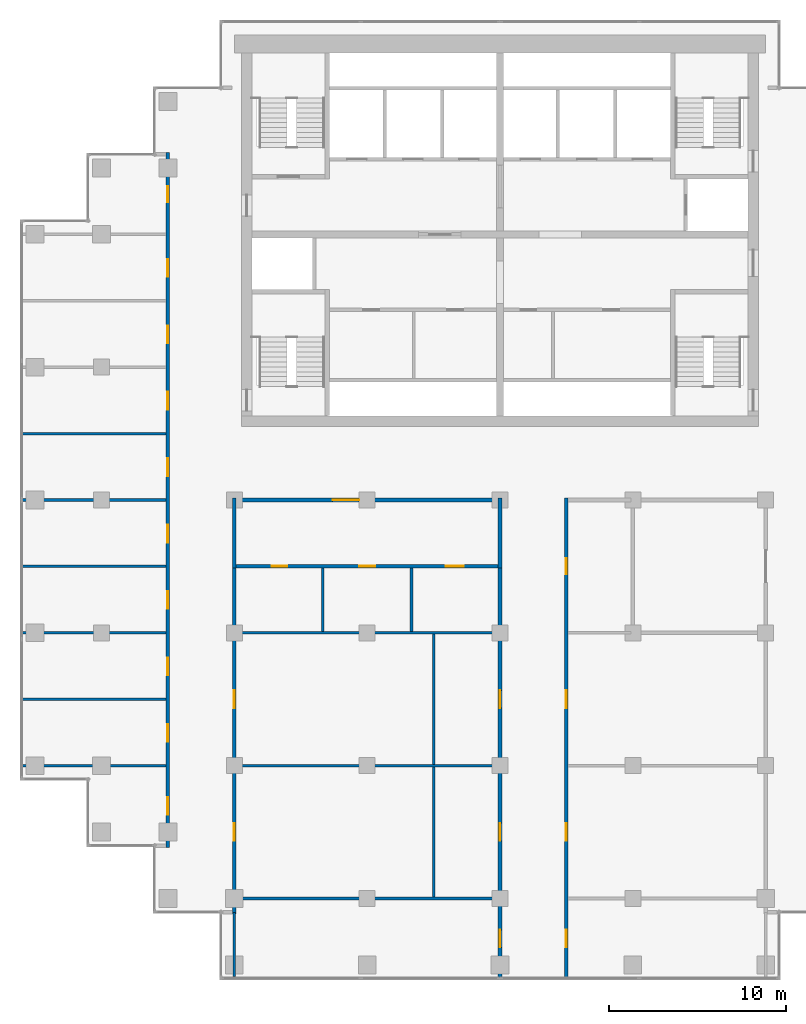
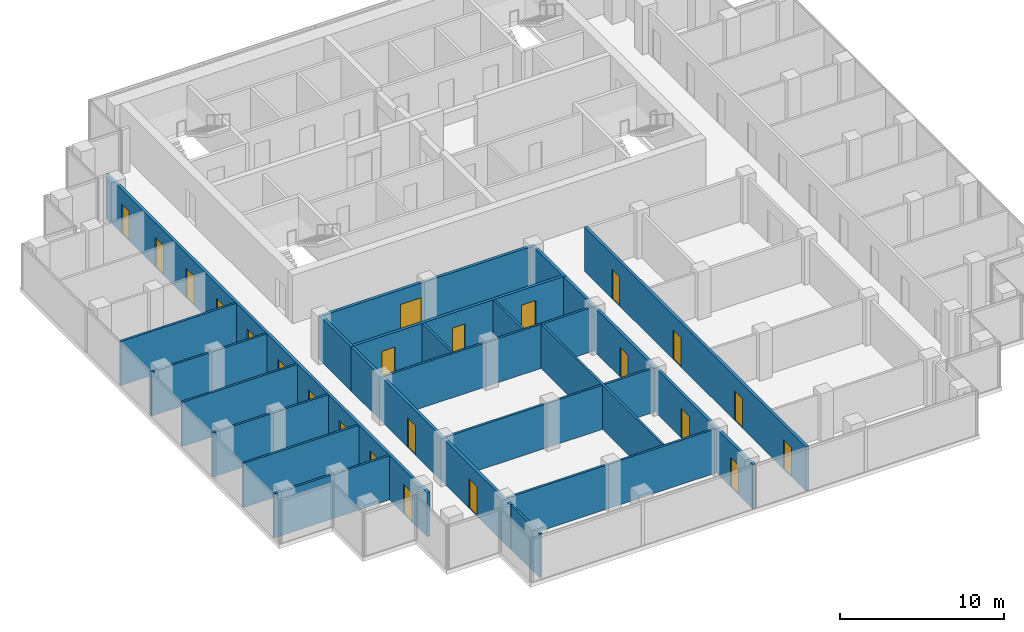
# One storey, part 8 of 12: 23 doors, 21 walls, 23 openings.
"""IFC4 building model written with IfcOpenShell, lengths in metres."""

from ifc_helpers import new_model, si_unit, direction, frame, frame_2d, origin, place, context, subcontext, project, spatial, rectangle, extrude, material, layer, layer_set, type_object, element, fill, save


model = new_model("IFC4")

# Units and contexts
model_context = context("Model", 3, precision=1e-05, world=origin(), true_north=direction((0.0, 1.0)))
body_context = subcontext(model_context, "Body", "Model", "MODEL_VIEW")
ifc_project = project(units=[si_unit("LENGTHUNIT", "METRE"), si_unit("AREAUNIT", "SQUARE_METRE"), si_unit("VOLUMEUNIT", "CUBIC_METRE"), si_unit("PLANEANGLEUNIT", "RADIAN"), si_unit("MASSUNIT", "GRAM", prefix="KILO")], contexts=[model_context])

# Site, building, storey
site_placement = place(None, origin())
site = spatial("IfcSite", under=ifc_project, at=site_placement, CompositionType="ELEMENT")
building_placement = place(site_placement, origin())
building = spatial("IfcBuilding", under=site, at=building_placement, Name="Pilkhan Gate Tower", CompositionType="ELEMENT")
storey_placement = place(building_placement, frame((0.0, 0.0, 188.699951171875)))
storey = spatial("IfcBuildingStorey", under=building, at=storey_placement, Name="L48", CompositionType="ELEMENT", Elevation=188.699951171875)

# Wall, openings, doors
ifc_material_1 = material(Name="Dense blockwork", Category="masonry")
ifc_layer_1 = layer(ifc_material_1, 0.199951171875)
ifc_layer_set_1 = layer_set([ifc_layer_1], Name="Corridor wall FW200")
wall_type_1 = type_object("IfcWallType", Name="Corridor wall FW200", PredefinedType="PARTITIONING", material=ifc_layer_set_1)
wall_1_placement = place(storey_placement, frame((56.25, 47.8701171875, 0.0), z_axis=(0.0, 0.0, 1.0), x_axis=(0.0, 1.0, 0.0)))
wall_1 = element("IfcWall", 1, at=wall_1_placement, inside=storey, type_object=wall_type_1, Name="Partition L48", PredefinedType="PARTITIONING", context=body_context, shape_type="SweptSolid", body=[
    extrude(rectangle(XDim=39.259765625, YDim=0.199951171875, at=frame_2d((19.6298828125, 0.0))), origin(), (0.0, 0.0, 1.0), 3.300048828125),
])
opening_1_placement = place(wall_1_placement, frame((1.85009765625, 0.0, 0.0)))
opening_1 = element("IfcOpeningElement", 2, at=opening_1_placement, cuts=wall_1, Name="Opening L48-26", PredefinedType="OPENING", context=body_context, shape_type="SweptSolid", body=[
    extrude(rectangle(XDim=1.0, YDim=2.199951171875, at=frame_2d((0.5, 1.10009765625))), frame((0.0, 0.10986328125, 0.0), z_axis=(0.0, -1.0, 0.0), x_axis=(1.0, 0.0, 0.0)), (0.0, 0.0, 1.0), 0.219970703125),
])
opening_2_placement = place(wall_1_placement, frame((5.97998046875, 0.0, 0.0)))
opening_2 = element("IfcOpeningElement", 3, at=opening_2_placement, cuts=wall_1, Name="Opening L48-27", PredefinedType="OPENING", context=body_context, shape_type="SweptSolid", body=[
    extrude(rectangle(XDim=1.0, YDim=2.199951171875, at=frame_2d((0.5, 1.10009765625))), frame((0.0, 0.10986328125, 0.0), z_axis=(0.0, -1.0, 0.0), x_axis=(1.0, 0.0, 0.0)), (0.0, 0.0, 1.0), 0.219970703125),
])
opening_3_placement = place(wall_1_placement, frame((9.72998046875, 0.0, 0.0)))
opening_3 = element("IfcOpeningElement", 4, at=opening_3_placement, cuts=wall_1, Name="Opening L48-28", PredefinedType="OPENING", context=body_context, shape_type="SweptSolid", body=[
    extrude(rectangle(XDim=1.0, YDim=2.199951171875, at=frame_2d((0.5, 1.10009765625))), frame((0.0, 0.10986328125, 0.0), z_axis=(0.0, -1.0, 0.0), x_axis=(1.0, 0.0, 0.0)), (0.0, 0.0, 1.0), 0.219970703125),
])
opening_4_placement = place(wall_1_placement, frame((13.47998046875, 0.0, 0.0)))
opening_4 = element("IfcOpeningElement", 5, at=opening_4_placement, cuts=wall_1, Name="Opening L48-29", PredefinedType="OPENING", context=body_context, shape_type="SweptSolid", body=[
    extrude(rectangle(XDim=1.0, YDim=2.199951171875, at=frame_2d((0.5, 1.10009765625))), frame((0.0, 0.10986328125, 0.0), z_axis=(0.0, -1.0, 0.0), x_axis=(1.0, 0.0, 0.0)), (0.0, 0.0, 1.0), 0.219970703125),
])
opening_5_placement = place(wall_1_placement, frame((17.22998046875, 0.0, 0.0)))
opening_5 = element("IfcOpeningElement", 6, at=opening_5_placement, cuts=wall_1, Name="Opening L48-30", PredefinedType="OPENING", context=body_context, shape_type="SweptSolid", body=[
    extrude(rectangle(XDim=1.0, YDim=2.199951171875, at=frame_2d((0.5, 1.10009765625))), frame((0.0, 0.10986328125, 0.0), z_axis=(0.0, -1.0, 0.0), x_axis=(1.0, 0.0, 0.0)), (0.0, 0.0, 1.0), 0.219970703125),
])
opening_6_placement = place(wall_1_placement, frame((20.97998046875, 0.0, 0.0)))
opening_6 = element("IfcOpeningElement", 7, at=opening_6_placement, cuts=wall_1, Name="Opening L48-31", PredefinedType="OPENING", context=body_context, shape_type="SweptSolid", body=[
    extrude(rectangle(XDim=1.0, YDim=2.199951171875, at=frame_2d((0.5, 1.10009765625))), frame((0.0, 0.10986328125, 0.0), z_axis=(0.0, -1.0, 0.0), x_axis=(1.0, 0.0, 0.0)), (0.0, 0.0, 1.0), 0.219970703125),
])
opening_7_placement = place(wall_1_placement, frame((24.72998046875, 0.0, 0.0)))
opening_7 = element("IfcOpeningElement", 8, at=opening_7_placement, cuts=wall_1, Name="Opening L48-32", PredefinedType="OPENING", context=body_context, shape_type="SweptSolid", body=[
    extrude(rectangle(XDim=1.0, YDim=2.199951171875, at=frame_2d((0.5, 1.10009765625))), frame((0.0, 0.10986328125, 0.0), z_axis=(0.0, -1.0, 0.0), x_axis=(1.0, 0.0, 0.0)), (0.0, 0.0, 1.0), 0.219970703125),
])
opening_8_placement = place(wall_1_placement, frame((28.47998046875, 0.0, 0.0)))
opening_8 = element("IfcOpeningElement", 9, at=opening_8_placement, cuts=wall_1, Name="Opening L48-40", PredefinedType="OPENING", context=body_context, shape_type="SweptSolid", body=[
    extrude(rectangle(XDim=1.0, YDim=2.199951171875, at=frame_2d((0.5, 1.10009765625))), frame((0.0, 0.10986328125, 0.0), z_axis=(0.0, -1.0, 0.0), x_axis=(1.0, 0.0, 0.0)), (0.0, 0.0, 1.0), 0.219970703125),
])
opening_9_placement = place(wall_1_placement, frame((32.22998046875, 0.0, 0.0)))
opening_9 = element("IfcOpeningElement", 10, at=opening_9_placement, cuts=wall_1, Name="Opening L48-41", PredefinedType="OPENING", context=body_context, shape_type="SweptSolid", body=[
    extrude(rectangle(XDim=1.0, YDim=2.199951171875, at=frame_2d((0.5, 1.10009765625))), frame((0.0, 0.10986328125, 0.0), z_axis=(0.0, -1.0, 0.0), x_axis=(1.0, 0.0, 0.0)), (0.0, 0.0, 1.0), 0.219970703125),
])
opening_10_placement = place(wall_1_placement, frame((36.429931640625, 0.0, 0.0)))
opening_10 = element("IfcOpeningElement", 11, at=opening_10_placement, cuts=wall_1, Name="Opening L48-42", PredefinedType="OPENING", context=body_context, shape_type="SweptSolid", body=[
    extrude(rectangle(XDim=0.89990234375, YDim=2.199951171875, at=frame_2d((0.449951171875, 1.10009765625))), frame((0.0, 0.10986328125, 0.0), z_axis=(0.0, -1.0, 0.0), x_axis=(1.0, 0.0, 0.0)), (0.0, 0.0, 1.0), 0.219970703125),
])
ifc_material_2 = material(Name="Timber flush door, 30 minute fire resisting", Category="wood")
door_type_1 = type_object("IfcDoorType", Name="Room door D03 1000x2200", OperationType="SINGLE_SWING_LEFT", PredefinedType="DOOR", material=ifc_material_2)
door_1_placement = place(opening_1_placement, origin())
door_1 = element("IfcDoor", 12, at=door_1_placement, inside=storey, type_object=door_type_1, Name="Room door", OperationType="SINGLE_SWING_RIGHT", OverallHeight=2.199951171875, OverallWidth=1.0, PredefinedType="DOOR", context=body_context, shape_type="SweptSolid", body=[
    extrude(rectangle(XDim=1.0, YDim=2.199951171875, at=frame_2d((0.5, 1.10009765625))), frame((0.0, 0.02490234375, 0.0), z_axis=(0.0, -1.0, 0.0), x_axis=(1.0, 0.0, 0.0)), (0.0, 0.0, 1.0), 0.050048828125),
])
fill(opening_1, door_1)
door_2_placement = place(opening_2_placement, origin())
door_2 = element("IfcDoor", 13, at=door_2_placement, inside=storey, type_object=door_type_1, Name="Room door", OperationType="SINGLE_SWING_LEFT", OverallHeight=2.199951171875, OverallWidth=1.0, PredefinedType="DOOR", context=body_context, shape_type="SweptSolid", body=[
    extrude(rectangle(XDim=1.0, YDim=2.199951171875, at=frame_2d((0.5, 1.10009765625))), frame((0.0, 0.02490234375, 0.0), z_axis=(0.0, -1.0, 0.0), x_axis=(1.0, 0.0, 0.0)), (0.0, 0.0, 1.0), 0.050048828125),
])
fill(opening_2, door_2)
door_3_placement = place(opening_3_placement, origin())
door_3 = element("IfcDoor", 14, at=door_3_placement, inside=storey, type_object=door_type_1, Name="Room door", OperationType="SINGLE_SWING_LEFT", OverallHeight=2.199951171875, OverallWidth=1.0, PredefinedType="DOOR", context=body_context, shape_type="SweptSolid", body=[
    extrude(rectangle(XDim=1.0, YDim=2.199951171875, at=frame_2d((0.5, 1.10009765625))), frame((0.0, 0.02490234375, 0.0), z_axis=(0.0, -1.0, 0.0), x_axis=(1.0, 0.0, 0.0)), (0.0, 0.0, 1.0), 0.050048828125),
])
fill(opening_3, door_3)
door_4_placement = place(opening_4_placement, origin())
door_4 = element("IfcDoor", 15, at=door_4_placement, inside=storey, type_object=door_type_1, Name="Room door", OperationType="SINGLE_SWING_LEFT", OverallHeight=2.199951171875, OverallWidth=1.0, PredefinedType="DOOR", context=body_context, shape_type="SweptSolid", body=[
    extrude(rectangle(XDim=1.0, YDim=2.199951171875, at=frame_2d((0.5, 1.10009765625))), frame((0.0, 0.02490234375, 0.0), z_axis=(0.0, -1.0, 0.0), x_axis=(1.0, 0.0, 0.0)), (0.0, 0.0, 1.0), 0.050048828125),
])
fill(opening_4, door_4)
door_5_placement = place(opening_5_placement, origin())
door_5 = element("IfcDoor", 16, at=door_5_placement, inside=storey, type_object=door_type_1, Name="Room door", OperationType="SINGLE_SWING_LEFT", OverallHeight=2.199951171875, OverallWidth=1.0, PredefinedType="DOOR", context=body_context, shape_type="SweptSolid", body=[
    extrude(rectangle(XDim=1.0, YDim=2.199951171875, at=frame_2d((0.5, 1.10009765625))), frame((0.0, 0.02490234375, 0.0), z_axis=(0.0, -1.0, 0.0), x_axis=(1.0, 0.0, 0.0)), (0.0, 0.0, 1.0), 0.050048828125),
])
fill(opening_5, door_5)
door_6_placement = place(opening_6_placement, origin())
door_6 = element("IfcDoor", 17, at=door_6_placement, inside=storey, type_object=door_type_1, Name="Room door", OperationType="SINGLE_SWING_LEFT", OverallHeight=2.199951171875, OverallWidth=1.0, PredefinedType="DOOR", context=body_context, shape_type="SweptSolid", body=[
    extrude(rectangle(XDim=1.0, YDim=2.199951171875, at=frame_2d((0.5, 1.10009765625))), frame((0.0, 0.02490234375, 0.0), z_axis=(0.0, -1.0, 0.0), x_axis=(1.0, 0.0, 0.0)), (0.0, 0.0, 1.0), 0.050048828125),
])
fill(opening_6, door_6)
door_7_placement = place(opening_7_placement, origin())
door_7 = element("IfcDoor", 18, at=door_7_placement, inside=storey, type_object=door_type_1, Name="Room door", OperationType="SINGLE_SWING_LEFT", OverallHeight=2.199951171875, OverallWidth=1.0, PredefinedType="DOOR", context=body_context, shape_type="SweptSolid", body=[
    extrude(rectangle(XDim=1.0, YDim=2.199951171875, at=frame_2d((0.5, 1.10009765625))), frame((0.0, 0.02490234375, 0.0), z_axis=(0.0, -1.0, 0.0), x_axis=(1.0, 0.0, 0.0)), (0.0, 0.0, 1.0), 0.050048828125),
])
fill(opening_7, door_7)
door_8_placement = place(opening_8_placement, origin())
door_8 = element("IfcDoor", 19, at=door_8_placement, inside=storey, type_object=door_type_1, Name="Room door", OperationType="SINGLE_SWING_LEFT", OverallHeight=2.199951171875, OverallWidth=1.0, PredefinedType="DOOR", context=body_context, shape_type="SweptSolid", body=[
    extrude(rectangle(XDim=1.0, YDim=2.199951171875, at=frame_2d((0.5, 1.10009765625))), frame((0.0, 0.02490234375, 0.0), z_axis=(0.0, -1.0, 0.0), x_axis=(1.0, 0.0, 0.0)), (0.0, 0.0, 1.0), 0.050048828125),
])
fill(opening_8, door_8)
door_9_placement = place(opening_9_placement, origin())
door_9 = element("IfcDoor", 20, at=door_9_placement, inside=storey, type_object=door_type_1, Name="Room door", OperationType="SINGLE_SWING_LEFT", OverallHeight=2.199951171875, OverallWidth=1.0, PredefinedType="DOOR", context=body_context, shape_type="SweptSolid", body=[
    extrude(rectangle(XDim=1.0, YDim=2.199951171875, at=frame_2d((0.5, 1.10009765625))), frame((0.0, 0.02490234375, 0.0), z_axis=(0.0, -1.0, 0.0), x_axis=(1.0, 0.0, 0.0)), (0.0, 0.0, 1.0), 0.050048828125),
])
fill(opening_9, door_9)
ifc_material_3 = material(Name="Timber flush door, 60 minute fire resisting, self-closing", Category="wood")
door_type_2 = type_object("IfcDoorType", Name="Store door D05 900x2200", OperationType="SINGLE_SWING_LEFT", PredefinedType="DOOR", material=ifc_material_3)
door_10_placement = place(opening_10_placement, origin())
door_10 = element("IfcDoor", 21, at=door_10_placement, inside=storey, type_object=door_type_2, Name="Store door", OperationType="SINGLE_SWING_LEFT", OverallHeight=2.199951171875, OverallWidth=0.89990234375, PredefinedType="DOOR", context=body_context, shape_type="SweptSolid", body=[
    extrude(rectangle(XDim=0.89990234375, YDim=2.199951171875, at=frame_2d((0.449951171875, 1.10009765625))), frame((0.0, 0.02490234375, 0.0), z_axis=(0.0, -1.0, 0.0), x_axis=(1.0, 0.0, 0.0)), (0.0, 0.0, 1.0), 0.050048828125),
])
fill(opening_10, door_10)

wall_2_placement = place(storey_placement, frame((60.0, 44.135009765625, 0.0), z_axis=(0.0, 0.0, 1.0), x_axis=(0.0, 1.0, 0.0)))
wall_2 = element("IfcWall", 22, at=wall_2_placement, inside=storey, type_object=wall_type_1, Name="Partition L48", PredefinedType="PARTITIONING", context=body_context, shape_type="SweptSolid", body=[
    extrude(rectangle(XDim=19.614990234375, YDim=0.199951171875, at=frame_2d((9.8076171875, 0.0))), origin(), (0.0, 0.0, 1.0), 3.300048828125),
])
opening_11_placement = place(wall_2_placement, frame((4.114990234375, 0.0, 0.0)))
opening_11 = element("IfcOpeningElement", 23, at=opening_11_placement, cuts=wall_2, Name="Opening L48-17", PredefinedType="OPENING", context=body_context, shape_type="SweptSolid", body=[
    extrude(rectangle(XDim=1.0, YDim=2.199951171875, at=frame_2d((0.5, 1.10009765625))), frame((0.0, 0.10986328125, 0.0), z_axis=(0.0, -1.0, 0.0), x_axis=(1.0, 0.0, 0.0)), (0.0, 0.0, 1.0), 0.219970703125),
])
opening_12_placement = place(wall_2_placement, frame((11.614990234375, 0.0, 0.0)))
opening_12 = element("IfcOpeningElement", 24, at=opening_12_placement, cuts=wall_2, Name="Opening L48-19", PredefinedType="OPENING", context=body_context, shape_type="SweptSolid", body=[
    extrude(rectangle(XDim=1.0, YDim=2.199951171875, at=frame_2d((0.5, 1.10009765625))), frame((0.0, 0.10986328125, 0.0), z_axis=(0.0, -1.0, 0.0), x_axis=(1.0, 0.0, 0.0)), (0.0, 0.0, 1.0), 0.219970703125),
])
door_11_placement = place(opening_11_placement, origin())
door_11 = element("IfcDoor", 25, at=door_11_placement, inside=storey, type_object=door_type_1, Name="Room door", OperationType="SINGLE_SWING_LEFT", OverallHeight=2.199951171875, OverallWidth=1.0, PredefinedType="DOOR", context=body_context, shape_type="SweptSolid", body=[
    extrude(rectangle(XDim=1.0, YDim=2.199951171875, at=frame_2d((0.5, 1.10009765625))), frame((0.0, 0.02490234375, 0.0), z_axis=(0.0, -1.0, 0.0), x_axis=(1.0, 0.0, 0.0)), (0.0, 0.0, 1.0), 0.050048828125),
])
fill(opening_11, door_11)
door_12_placement = place(opening_12_placement, origin())
door_12 = element("IfcDoor", 26, at=door_12_placement, inside=storey, type_object=door_type_1, Name="Room door", OperationType="SINGLE_SWING_RIGHT", OverallHeight=2.199951171875, OverallWidth=1.0, PredefinedType="DOOR", context=body_context, shape_type="SweptSolid", body=[
    extrude(rectangle(XDim=1.0, YDim=2.199951171875, at=frame_2d((0.5, 1.10009765625))), frame((0.0, 0.02490234375, 0.0), z_axis=(0.0, -1.0, 0.0), x_axis=(1.0, 0.0, 0.0)), (0.0, 0.0, 1.0), 0.050048828125),
])
fill(opening_12, door_12)

wall_3_placement = place(storey_placement, frame((75.0, 40.485107421875, 0.0), z_axis=(0.0, 0.0, 1.0), x_axis=(0.0, 1.0, 0.0)))
wall_3 = element("IfcWall", 27, at=wall_3_placement, inside=storey, type_object=wall_type_1, Name="Partition L48", PredefinedType="PARTITIONING", context=body_context, shape_type="SweptSolid", body=[
    extrude(rectangle(XDim=23.264892578125, YDim=0.199951171875, at=frame_2d((11.63232421875, 0.0))), origin(), (0.0, 0.0, 1.0), 3.300048828125),
])
opening_13_placement = place(wall_3_placement, frame((1.75, 0.0, 0.0)))
opening_13 = element("IfcOpeningElement", 28, at=opening_13_placement, cuts=wall_3, Name="Opening L48-16", PredefinedType="OPENING", context=body_context, shape_type="SweptSolid", body=[
    extrude(rectangle(XDim=1.0, YDim=2.199951171875, at=frame_2d((0.5, 1.10009765625))), frame((0.0, 0.10986328125, 0.0), z_axis=(0.0, -1.0, 0.0), x_axis=(1.0, 0.0, 0.0)), (0.0, 0.0, 1.0), 0.219970703125),
])
opening_14_placement = place(wall_3_placement, frame((7.764892578125, 0.0, 0.0)))
opening_14 = element("IfcOpeningElement", 29, at=opening_14_placement, cuts=wall_3, Name="Opening L48-18", PredefinedType="OPENING", context=body_context, shape_type="SweptSolid", body=[
    extrude(rectangle(XDim=1.0, YDim=2.199951171875, at=frame_2d((0.5, 1.10009765625))), frame((0.0, 0.10986328125, 0.0), z_axis=(0.0, -1.0, 0.0), x_axis=(1.0, 0.0, 0.0)), (0.0, 0.0, 1.0), 0.219970703125),
])
opening_15_placement = place(wall_3_placement, frame((15.264892578125, 0.0, 0.0)))
opening_15 = element("IfcOpeningElement", 30, at=opening_15_placement, cuts=wall_3, Name="Opening L48-20", PredefinedType="OPENING", context=body_context, shape_type="SweptSolid", body=[
    extrude(rectangle(XDim=1.0, YDim=2.199951171875, at=frame_2d((0.5, 1.10009765625))), frame((0.0, 0.10986328125, 0.0), z_axis=(0.0, -1.0, 0.0), x_axis=(1.0, 0.0, 0.0)), (0.0, 0.0, 1.0), 0.219970703125),
])
door_13_placement = place(opening_13_placement, origin())
door_13 = element("IfcDoor", 31, at=door_13_placement, inside=storey, type_object=door_type_1, Name="Room door", OperationType="SINGLE_SWING_LEFT", OverallHeight=2.199951171875, OverallWidth=1.0, PredefinedType="DOOR", context=body_context, shape_type="SweptSolid", body=[
    extrude(rectangle(XDim=1.0, YDim=2.199951171875, at=frame_2d((0.5, 1.10009765625))), frame((0.0, 0.02490234375, 0.0), z_axis=(0.0, -1.0, 0.0), x_axis=(1.0, 0.0, 0.0)), (0.0, 0.0, 1.0), 0.050048828125),
])
fill(opening_13, door_13)
door_14_placement = place(opening_14_placement, origin())
door_14 = element("IfcDoor", 32, at=door_14_placement, inside=storey, type_object=door_type_1, Name="Room door", OperationType="SINGLE_SWING_RIGHT", OverallHeight=2.199951171875, OverallWidth=1.0, PredefinedType="DOOR", context=body_context, shape_type="SweptSolid", body=[
    extrude(rectangle(XDim=1.0, YDim=2.199951171875, at=frame_2d((0.5, 1.10009765625))), frame((0.0, 0.02490234375, 0.0), z_axis=(0.0, -1.0, 0.0), x_axis=(1.0, 0.0, 0.0)), (0.0, 0.0, 1.0), 0.050048828125),
])
fill(opening_14, door_14)
door_15_placement = place(opening_15_placement, origin())
door_15 = element("IfcDoor", 33, at=door_15_placement, inside=storey, type_object=door_type_1, Name="Room door", OperationType="SINGLE_SWING_RIGHT", OverallHeight=2.199951171875, OverallWidth=1.0, PredefinedType="DOOR", context=body_context, shape_type="SweptSolid", body=[
    extrude(rectangle(XDim=1.0, YDim=2.199951171875, at=frame_2d((0.5, 1.10009765625))), frame((0.0, 0.02490234375, 0.0), z_axis=(0.0, -1.0, 0.0), x_axis=(1.0, 0.0, 0.0)), (0.0, 0.0, 1.0), 0.050048828125),
])
fill(opening_15, door_15)

wall_4_placement = place(storey_placement, frame((78.75, 40.485107421875, 0.0), z_axis=(0.0, 0.0, 1.0), x_axis=(0.0, 1.0, 0.0)))
wall_4 = element("IfcWall", 34, at=wall_4_placement, inside=storey, type_object=wall_type_1, Name="Partition L48", PredefinedType="PARTITIONING", context=body_context, shape_type="SweptSolid", body=[
    extrude(rectangle(XDim=27.114990234375, YDim=0.199951171875, at=frame_2d((13.5576171875, 0.0))), origin(), (0.0, 0.0, 1.0), 3.300048828125),
])
opening_16_placement = place(wall_4_placement, frame((1.75, 0.0, 0.0)))
opening_16 = element("IfcOpeningElement", 35, at=opening_16_placement, cuts=wall_4, Name="Opening L48-21", PredefinedType="OPENING", context=body_context, shape_type="SweptSolid", body=[
    extrude(rectangle(XDim=1.0, YDim=2.199951171875, at=frame_2d((0.5, 1.10009765625))), frame((0.0, 0.10986328125, 0.0), z_axis=(0.0, -1.0, 0.0), x_axis=(1.0, 0.0, 0.0)), (0.0, 0.0, 1.0), 0.219970703125),
])
opening_17_placement = place(wall_4_placement, frame((7.764892578125, 0.0, 0.0)))
opening_17 = element("IfcOpeningElement", 36, at=opening_17_placement, cuts=wall_4, Name="Opening L48-22", PredefinedType="OPENING", context=body_context, shape_type="SweptSolid", body=[
    extrude(rectangle(XDim=1.0, YDim=2.199951171875, at=frame_2d((0.5, 1.10009765625))), frame((0.0, 0.10986328125, 0.0), z_axis=(0.0, -1.0, 0.0), x_axis=(1.0, 0.0, 0.0)), (0.0, 0.0, 1.0), 0.219970703125),
])
opening_18_placement = place(wall_4_placement, frame((15.264892578125, 0.0, 0.0)))
opening_18 = element("IfcOpeningElement", 37, at=opening_18_placement, cuts=wall_4, Name="Opening L48-23", PredefinedType="OPENING", context=body_context, shape_type="SweptSolid", body=[
    extrude(rectangle(XDim=1.0, YDim=2.199951171875, at=frame_2d((0.5, 1.10009765625))), frame((0.0, 0.10986328125, 0.0), z_axis=(0.0, -1.0, 0.0), x_axis=(1.0, 0.0, 0.0)), (0.0, 0.0, 1.0), 0.219970703125),
])
opening_19_placement = place(wall_4_placement, frame((22.81494140625, 0.0, 0.0)))
opening_19 = element("IfcOpeningElement", 38, at=opening_19_placement, cuts=wall_4, Name="Opening L48-24", PredefinedType="OPENING", context=body_context, shape_type="SweptSolid", body=[
    extrude(rectangle(XDim=0.89990234375, YDim=2.199951171875, at=frame_2d((0.449951171875, 1.10009765625))), frame((0.0, 0.10986328125, 0.0), z_axis=(0.0, -1.0, 0.0), x_axis=(1.0, 0.0, 0.0)), (0.0, 0.0, 1.0), 0.219970703125),
])
door_16_placement = place(opening_16_placement, origin())
door_16 = element("IfcDoor", 39, at=door_16_placement, inside=storey, type_object=door_type_1, Name="Room door", OperationType="SINGLE_SWING_LEFT", OverallHeight=2.199951171875, OverallWidth=1.0, PredefinedType="DOOR", context=body_context, shape_type="SweptSolid", body=[
    extrude(rectangle(XDim=1.0, YDim=2.199951171875, at=frame_2d((0.5, 1.10009765625))), frame((0.0, 0.02490234375, 0.0), z_axis=(0.0, -1.0, 0.0), x_axis=(1.0, 0.0, 0.0)), (0.0, 0.0, 1.0), 0.050048828125),
])
fill(opening_16, door_16)
door_17_placement = place(opening_17_placement, origin())
door_17 = element("IfcDoor", 40, at=door_17_placement, inside=storey, type_object=door_type_1, Name="Room door", OperationType="SINGLE_SWING_RIGHT", OverallHeight=2.199951171875, OverallWidth=1.0, PredefinedType="DOOR", context=body_context, shape_type="SweptSolid", body=[
    extrude(rectangle(XDim=1.0, YDim=2.199951171875, at=frame_2d((0.5, 1.10009765625))), frame((0.0, 0.02490234375, 0.0), z_axis=(0.0, -1.0, 0.0), x_axis=(1.0, 0.0, 0.0)), (0.0, 0.0, 1.0), 0.050048828125),
])
fill(opening_17, door_17)
door_18_placement = place(opening_18_placement, origin())
door_18 = element("IfcDoor", 41, at=door_18_placement, inside=storey, type_object=door_type_1, Name="Room door", OperationType="SINGLE_SWING_LEFT", OverallHeight=2.199951171875, OverallWidth=1.0, PredefinedType="DOOR", context=body_context, shape_type="SweptSolid", body=[
    extrude(rectangle(XDim=1.0, YDim=2.199951171875, at=frame_2d((0.5, 1.10009765625))), frame((0.0, 0.02490234375, 0.0), z_axis=(0.0, -1.0, 0.0), x_axis=(1.0, 0.0, 0.0)), (0.0, 0.0, 1.0), 0.050048828125),
])
fill(opening_18, door_18)
door_19_placement = place(opening_19_placement, origin())
door_19 = element("IfcDoor", 42, at=door_19_placement, inside=storey, type_object=door_type_2, Name="Store door", OperationType="SINGLE_SWING_LEFT", OverallHeight=2.199951171875, OverallWidth=0.89990234375, PredefinedType="DOOR", context=body_context, shape_type="SweptSolid", body=[
    extrude(rectangle(XDim=0.89990234375, YDim=2.199951171875, at=frame_2d((0.449951171875, 1.10009765625))), frame((0.0, 0.02490234375, 0.0), z_axis=(0.0, -1.0, 0.0), x_axis=(1.0, 0.0, 0.0)), (0.0, 0.0, 1.0), 0.050048828125),
])
fill(opening_19, door_19)

ifc_layer_2 = layer(ifc_material_1, 0.199951171875)
ifc_layer_set_2 = layer_set([ifc_layer_2], Name="Lobby wall LW200")
wall_type_2 = type_object("IfcWallType", Name="Lobby wall LW200", PredefinedType="PARTITIONING", material=ifc_layer_set_2)
wall_5_placement = place(storey_placement, frame((60.10009765625, 63.75, 0.0), z_axis=(0.0, 0.0, 1.0), x_axis=(1.0, 0.0, 0.0)))
wall_5 = element("IfcWall", 43, at=wall_5_placement, inside=storey, type_object=wall_type_2, Name="Partition L48", PredefinedType="PARTITIONING", context=body_context, shape_type="SweptSolid", body=[
    extrude(rectangle(XDim=14.7998046875, YDim=0.199951171875, at=frame_2d((7.39990234375, 0.0))), origin(), (0.0, 0.0, 1.0), 3.300048828125),
])
opening_20_placement = place(wall_5_placement, frame((2.0, 0.0, 0.0)))
opening_20 = element("IfcOpeningElement", 44, at=opening_20_placement, cuts=wall_5, Name="Opening L48-13", PredefinedType="OPENING", context=body_context, shape_type="SweptSolid", body=[
    extrude(rectangle(XDim=0.89990234375, YDim=2.199951171875, at=frame_2d((0.449951171875, 1.10009765625))), frame((0.0, 0.10986328125, 0.0), z_axis=(0.0, -1.0, 0.0), x_axis=(1.0, 0.0, 0.0)), (0.0, 0.0, 1.0), 0.219970703125),
])
opening_21_placement = place(wall_5_placement, frame((6.949951171875, 0.0, 0.0)))
opening_21 = element("IfcOpeningElement", 45, at=opening_21_placement, cuts=wall_5, Name="Opening L48-14", PredefinedType="OPENING", context=body_context, shape_type="SweptSolid", body=[
    extrude(rectangle(XDim=0.89990234375, YDim=2.199951171875, at=frame_2d((0.449951171875, 1.10009765625))), frame((0.0, 0.10986328125, 0.0), z_axis=(0.0, -1.0, 0.0), x_axis=(1.0, 0.0, 0.0)), (0.0, 0.0, 1.0), 0.219970703125),
])
opening_22_placement = place(wall_5_placement, frame((11.85009765625, 0.0, 0.0)))
opening_22 = element("IfcOpeningElement", 46, at=opening_22_placement, cuts=wall_5, Name="Opening L48-15", PredefinedType="OPENING", context=body_context, shape_type="SweptSolid", body=[
    extrude(rectangle(XDim=1.0, YDim=2.199951171875, at=frame_2d((0.5, 1.10009765625))), frame((0.0, 0.10986328125, 0.0), z_axis=(0.0, -1.0, 0.0), x_axis=(1.0, 0.0, 0.0)), (0.0, 0.0, 1.0), 0.219970703125),
])
ifc_material_4 = material(Name="Timber flush door, outward opening, 30 minute fire resisting", Category="wood")
door_type_3 = type_object("IfcDoorType", Name="Accessible toilet door D07 1000x2200", OperationType="SINGLE_SWING_LEFT", PredefinedType="DOOR", material=ifc_material_4)
door_20_placement = place(opening_22_placement, origin())
door_20 = element("IfcDoor", 47, at=door_20_placement, inside=storey, type_object=door_type_3, Name="Accessible toilet door", OperationType="SINGLE_SWING_LEFT", OverallHeight=2.199951171875, OverallWidth=1.0, PredefinedType="DOOR", context=body_context, shape_type="SweptSolid", body=[
    extrude(rectangle(XDim=1.0, YDim=2.199951171875, at=frame_2d((0.5, 1.10009765625))), frame((0.0, 0.02490234375, 0.0), z_axis=(0.0, -1.0, 0.0), x_axis=(1.0, 0.0, 0.0)), (0.0, 0.0, 1.0), 0.050048828125),
])
fill(opening_22, door_20)
door_type_4 = type_object("IfcDoorType", Name="Toilet door D06 900x2200", OperationType="SINGLE_SWING_LEFT", PredefinedType="DOOR", material=ifc_material_2)
door_21_placement = place(opening_20_placement, origin())
door_21 = element("IfcDoor", 48, at=door_21_placement, inside=storey, type_object=door_type_4, Name="Toilet door", OperationType="SINGLE_SWING_LEFT", OverallHeight=2.199951171875, OverallWidth=0.89990234375, PredefinedType="DOOR", context=body_context, shape_type="SweptSolid", body=[
    extrude(rectangle(XDim=0.89990234375, YDim=2.199951171875, at=frame_2d((0.449951171875, 1.10009765625))), frame((0.0, 0.02490234375, 0.0), z_axis=(0.0, -1.0, 0.0), x_axis=(1.0, 0.0, 0.0)), (0.0, 0.0, 1.0), 0.050048828125),
])
fill(opening_20, door_21)
door_22_placement = place(opening_21_placement, origin())
door_22 = element("IfcDoor", 49, at=door_22_placement, inside=storey, type_object=door_type_4, Name="Toilet door", OperationType="SINGLE_SWING_LEFT", OverallHeight=2.199951171875, OverallWidth=0.89990234375, PredefinedType="DOOR", context=body_context, shape_type="SweptSolid", body=[
    extrude(rectangle(XDim=0.89990234375, YDim=2.199951171875, at=frame_2d((0.449951171875, 1.10009765625))), frame((0.0, 0.02490234375, 0.0), z_axis=(0.0, -1.0, 0.0), x_axis=(1.0, 0.0, 0.0)), (0.0, 0.0, 1.0), 0.050048828125),
])
fill(opening_21, door_22)

# Wall, opening, door
wall_6_placement = place(storey_placement, frame((60.10009765625, 67.5, 0.0), z_axis=(0.0, 0.0, 1.0), x_axis=(1.0, 0.0, 0.0)))
wall_6 = element("IfcWall", 50, at=wall_6_placement, inside=storey, type_object=wall_type_2, Name="Partition L48", PredefinedType="PARTITIONING", context=body_context, shape_type="SweptSolid", body=[
    extrude(rectangle(XDim=14.7998046875, YDim=0.199951171875, at=frame_2d((7.39990234375, 0.0))), origin(), (0.0, 0.0, 1.0), 3.300048828125),
])
opening_23_placement = place(wall_6_placement, frame((5.449951171875, 0.0, 0.0)))
opening_23 = element("IfcOpeningElement", 51, at=opening_23_placement, cuts=wall_6, Name="Opening L48-12", PredefinedType="OPENING", context=body_context, shape_type="SweptSolid", body=[
    extrude(rectangle(XDim=1.5, YDim=2.199951171875, at=frame_2d((0.75, 1.10009765625))), frame((0.0, 0.10986328125, 0.0), z_axis=(0.0, -1.0, 0.0), x_axis=(1.0, 0.0, 0.0)), (0.0, 0.0, 1.0), 0.219970703125),
])
ifc_material_5 = material(Name="Steel framed glazed door, 60 minute fire resisting", Category="steel")
door_type_5 = type_object("IfcDoorType", Name="Lobby door D09 1500x2200", OperationType="DOUBLE_DOOR_SINGLE_SWING", PredefinedType="DOOR", material=ifc_material_5)
door_23_placement = place(opening_23_placement, origin())
door_23 = element("IfcDoor", 52, at=door_23_placement, inside=storey, type_object=door_type_5, Name="Lobby door", OperationType="DOUBLE_DOOR_SINGLE_SWING", OverallHeight=2.199951171875, OverallWidth=1.5, PredefinedType="DOOR", context=body_context, shape_type="SweptSolid", body=[
    extrude(rectangle(XDim=1.5, YDim=2.199951171875, at=frame_2d((0.75, 1.10009765625))), frame((0.0, 0.02490234375, 0.0), z_axis=(0.0, -1.0, 0.0), x_axis=(1.0, 0.0, 0.0)), (0.0, 0.0, 1.0), 0.050048828125),
])
fill(opening_23, door_23)

# Walls
for number, where, z_axis, x_axis, name in (
    (53, (60.0, 63.64990234375, 0.0), (0.0, 0.0, 1.0), (0.0, 1.0, 0.0), "Partition L48"),
    (54, (75.0, 63.64990234375, 0.0), (0.0, 0.0, 1.0), (0.0, 1.0, 0.0), "Partition L48"),
):
    element("IfcWall", number, at=place(storey_placement, frame(where, z_axis=z_axis, x_axis=x_axis)), inside=storey, type_object=wall_type_2, Name=name, PredefinedType="PARTITIONING", context=body_context, shape_type="SweptSolid", body=[
        extrude(rectangle(XDim=3.9501953125, YDim=0.199951171875, at=frame_2d((1.97509765625, 0.0))), origin(), (0.0, 0.0, 1.0), 3.300048828125),
    ])
ifc_material_6 = material(Name="Blockwork partition, plastered both sides", Category="masonry")
ifc_layer_3 = layer(ifc_material_6, 0.14990234375)
ifc_layer_set_3 = layer_set([ifc_layer_3], Name="Partition PW150")
wall_type_3 = type_object("IfcWallType", Name="Partition PW150", PredefinedType="PARTITIONING", material=ifc_layer_set_3)
wall_7_placement = place(storey_placement, frame((60.10009765625, 45.0, 0.0), z_axis=(0.0, 0.0, 1.0), x_axis=(1.0, 0.0, 0.0)))
element("IfcWall", 55, at=wall_7_placement, inside=storey, type_object=wall_type_3, Name="Partition L48", PredefinedType="PARTITIONING", context=body_context, shape_type="SweptSolid", body=[
    extrude(rectangle(XDim=14.7998046875, YDim=0.14990234375, at=frame_2d((7.39990234375, 0.0))), origin(), (0.0, 0.0, 1.0), 3.300048828125),
])
wall_8_placement = place(storey_placement, frame((47.985107421875, 52.5, 0.0), z_axis=(0.0, 0.0, 1.0), x_axis=(1.0, 0.0, 0.0)))
element("IfcWall", 56, at=wall_8_placement, inside=storey, type_object=wall_type_3, Name="Partition L48", PredefinedType="PARTITIONING", context=body_context, shape_type="SweptSolid", body=[
    extrude(rectangle(XDim=8.164794921875, YDim=0.14990234375, at=frame_2d((4.08251953125, 0.0))), origin(), (0.0, 0.0, 1.0), 3.300048828125),
])
wall_9_placement = place(storey_placement, frame((60.10009765625, 52.5, 0.0), z_axis=(0.0, 0.0, 1.0), x_axis=(1.0, 0.0, 0.0)))
element("IfcWall", 57, at=wall_9_placement, inside=storey, type_object=wall_type_3, Name="Partition L48", PredefinedType="PARTITIONING", context=body_context, shape_type="SweptSolid", body=[
    extrude(rectangle(XDim=14.7998046875, YDim=0.14990234375, at=frame_2d((7.39990234375, 0.0))), origin(), (0.0, 0.0, 1.0), 3.300048828125),
])
for number, where, z_axis, x_axis, name in (
    (58, (47.985107421875, 56.25, 0.0), (0.0, 0.0, 1.0), (1.0, 0.0, 0.0), "Partition L48"),
    (59, (47.985107421875, 60.0, 0.0), (0.0, 0.0, 1.0), (1.0, 0.0, 0.0), "Partition L48"),
):
    element("IfcWall", number, at=place(storey_placement, frame(where, z_axis=z_axis, x_axis=x_axis)), inside=storey, type_object=wall_type_3, Name=name, PredefinedType="PARTITIONING", context=body_context, shape_type="SweptSolid", body=[
        extrude(rectangle(XDim=8.164794921875, YDim=0.14990234375, at=frame_2d((4.08251953125, 0.0))), origin(), (0.0, 0.0, 1.0), 3.300048828125),
    ])
wall_10_placement = place(storey_placement, frame((60.10009765625, 60.0, 0.0), z_axis=(0.0, 0.0, 1.0), x_axis=(1.0, 0.0, 0.0)))
element("IfcWall", 60, at=wall_10_placement, inside=storey, type_object=wall_type_3, Name="Partition L48", PredefinedType="PARTITIONING", context=body_context, shape_type="SweptSolid", body=[
    extrude(rectangle(XDim=14.7998046875, YDim=0.14990234375, at=frame_2d((7.39990234375, 0.0))), origin(), (0.0, 0.0, 1.0), 3.300048828125),
])
for number, where, z_axis, x_axis, name in (
    (61, (47.985107421875, 63.75, 0.0), (0.0, 0.0, 1.0), (1.0, 0.0, 0.0), "Partition L48"),
    (62, (47.985107421875, 67.5, 0.0), (0.0, 0.0, 1.0), (1.0, 0.0, 0.0), "Partition L48"),
    (63, (47.985107421875, 71.25, 0.0), (0.0, 0.0, 1.0), (1.0, 0.0, 0.0), "Partition L48"),
):
    element("IfcWall", number, at=place(storey_placement, frame(where, z_axis=z_axis, x_axis=x_axis)), inside=storey, type_object=wall_type_3, Name=name, PredefinedType="PARTITIONING", context=body_context, shape_type="SweptSolid", body=[
        extrude(rectangle(XDim=8.164794921875, YDim=0.14990234375, at=frame_2d((4.08251953125, 0.0))), origin(), (0.0, 0.0, 1.0), 3.300048828125),
    ])
wall_11_placement = place(storey_placement, frame((60.0, 40.60498046875, 0.0), z_axis=(0.0, 0.0, 1.0), x_axis=(0.0, 1.0, 0.0)))
element("IfcWall", 64, at=wall_11_placement, inside=storey, type_object=wall_type_3, Name="Partition L48", PredefinedType="PARTITIONING", context=body_context, shape_type="SweptSolid", body=[
    extrude(rectangle(XDim=3.60009765625, YDim=0.14990234375, at=frame_2d((1.800048828125, 0.0))), origin(), (0.0, 0.0, 1.0), 3.300048828125),
])
for number, where, z_axis, x_axis, name in (
    (65, (65.0, 60.074951171875, 0.0), (0.0, 0.0, 1.0), (0.0, 1.0, 0.0), "Partition L48"),
    (66, (70.0, 60.074951171875, 0.0), (0.0, 0.0, 1.0), (0.0, 1.0, 0.0), "Partition L48"),
):
    element("IfcWall", number, at=place(storey_placement, frame(where, z_axis=z_axis, x_axis=x_axis)), inside=storey, type_object=wall_type_3, Name=name, PredefinedType="PARTITIONING", context=body_context, shape_type="SweptSolid", body=[
        extrude(rectangle(XDim=3.574951171875, YDim=0.14990234375, at=frame_2d((1.78759765625, 0.0))), origin(), (0.0, 0.0, 1.0), 3.300048828125),
    ])
wall_12_placement = place(storey_placement, frame((71.25, 45.074951171875, 0.0), z_axis=(0.0, 0.0, 1.0), x_axis=(0.0, 1.0, 0.0)))
element("IfcWall", 67, at=wall_12_placement, inside=storey, type_object=wall_type_3, Name="Partition L48", PredefinedType="PARTITIONING", context=body_context, shape_type="SweptSolid", body=[
    extrude(rectangle(XDim=14.85009765625, YDim=0.14990234375, at=frame_2d((7.425048828125, 0.0))), origin(), (0.0, 0.0, 1.0), 3.300048828125),
])

save(model, "model.ifc")
